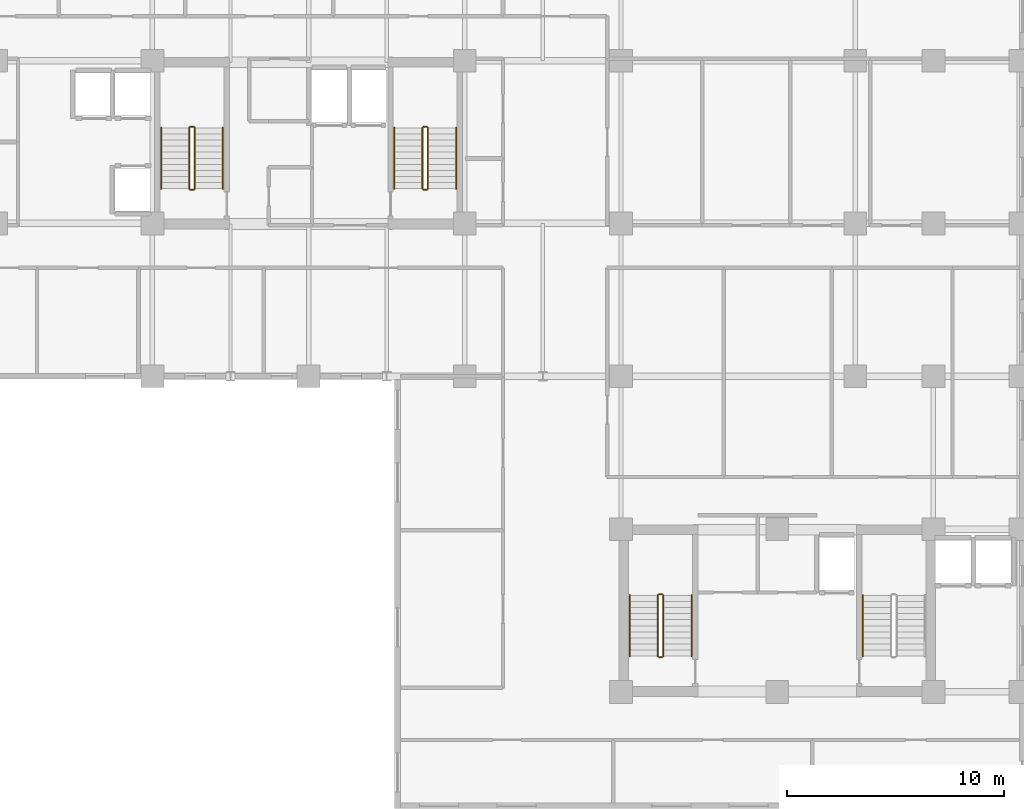
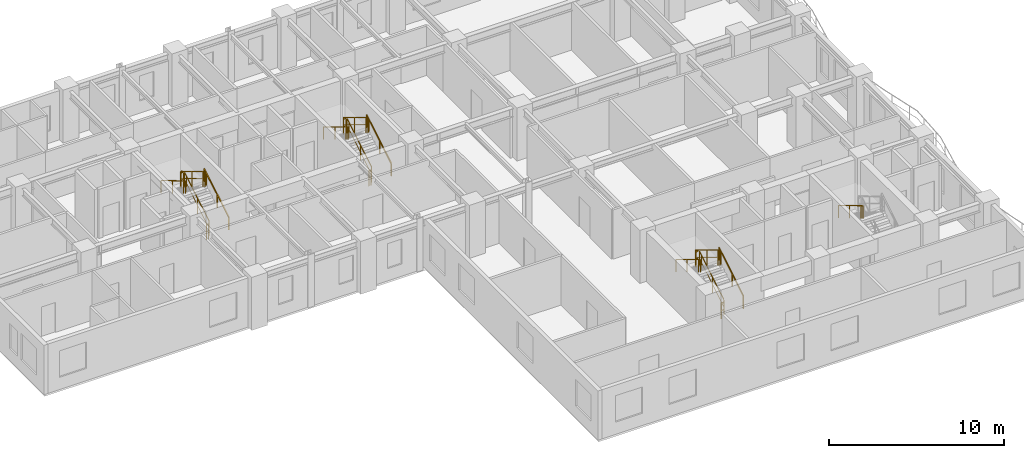
# One storey, part 11 of 13: 19 railings.
"""IFC4 building model written with IfcOpenShell, lengths in metres."""

from ifc_helpers import new_model, si_unit, direction, frame, origin, origin_2d, place, context, subcontext, project, spatial, rectangle, extrude, material, type_object, element, save


model = new_model("IFC4")

# Units and contexts
model_context = context("Model", 3, precision=1e-05, world=origin(), true_north=direction((0.0, 1.0)))
body_context = subcontext(model_context, "Body", "Model", "MODEL_VIEW")
ifc_project = project(units=[si_unit("LENGTHUNIT", "METRE"), si_unit("AREAUNIT", "SQUARE_METRE"), si_unit("VOLUMEUNIT", "CUBIC_METRE"), si_unit("PLANEANGLEUNIT", "RADIAN"), si_unit("MASSUNIT", "GRAM", prefix="KILO")], contexts=[model_context])

# Site, building, storey
site_placement = place(None, origin())
site = spatial("IfcSite", under=ifc_project, at=site_placement, CompositionType="ELEMENT")
building_placement = place(site_placement, origin())
building = spatial("IfcBuilding", under=site, at=building_placement, Name="Kaliganga Portal Commons", CompositionType="ELEMENT")
storey_placement = place(building_placement, frame((0.0, 0.0, 162.39990234375)))
storey = spatial("IfcBuildingStorey", under=building, at=storey_placement, Name="L41", CompositionType="ELEMENT", Elevation=162.39990234375)

# Railings
ifc_material_1 = material(Name="Galvanized Painted Steel Balustrade", Category="steel")
railing_type_1 = type_object("IfcRailingType", Name="RLG-STAIR-GRD", PredefinedType="GUARDRAIL", material=ifc_material_1)
railing_1_placement = place(storey_placement, frame((16.35009765625, 30.25, 0.168212890625)))
element("IfcRailing", 1, at=railing_1_placement, inside=storey, type_object=railing_type_1, Name="L41 ST-A1 stair guard 1", PredefinedType="GUARDRAIL", context=body_context, shape_type="SweptSolid", body=[
    extrude(rectangle(XDim=0.048095703125, YDim=0.048095703125, at=origin_2d()), frame((0.0, 0.0, 1.072021484375), z_axis=(0.0, 0.857242210791, 0.514913383045), x_axis=(-1.0, 0.0, 0.0)), (0.0, 0.0, 1.0), 3.266357421875),
    extrude(rectangle(XDim=0.028076171875, YDim=0.028076171875, at=origin_2d()), frame((0.0, 0.0, 0.572021484375), z_axis=(0.0, 0.857242210791, 0.514913383045), x_axis=(-1.0, 0.0, 0.0)), (0.0, 0.0, 1.0), 3.266357421875),
    extrude(rectangle(XDim=0.0419921875, YDim=0.0419921875, at=origin_2d()), origin(), (0.0, 0.0, 1.0), 1.052001953125),
    extrude(rectangle(XDim=0.0419921875, YDim=0.0419921875, at=origin_2d()), frame((0.0, 1.285888671875, 0.7724609375)), (0.0, 0.0, 1.0), 1.052001953125),
    extrude(rectangle(XDim=0.0419921875, YDim=0.0419921875, at=origin_2d()), frame((0.0, 2.57177734375, 1.544677734375)), (0.0, 0.0, 1.0), 1.052001953125),
    extrude(rectangle(XDim=0.0419921875, YDim=0.0419921875, at=origin_2d()), frame((0.0, 2.800048828125, 1.681884765625)), (0.0, 0.0, 1.0), 1.052001953125),
])
railing_2_placement = place(storey_placement, frame((16.300048828125, 33.10009765625, 1.85009765625)))
element("IfcRailing", 2, at=railing_2_placement, inside=storey, type_object=railing_type_1, Name="L41 ST-A1 stair guard 2", PredefinedType="GUARDRAIL", context=body_context, shape_type="SweptSolid", body=[
    extrude(rectangle(XDim=0.048095703125, YDim=0.048095703125, at=origin_2d()), frame((0.0, 0.0, 1.076171875), z_axis=(-1.0, 0.0, 0.0), x_axis=(0.0, -1.0, 0.0)), (0.0, 0.0, 1.0), 0.150146484375),
    extrude(rectangle(XDim=0.028076171875, YDim=0.028076171875, at=origin_2d()), frame((0.0, 0.0, 0.572021484375), z_axis=(-1.0, 0.0, 0.0), x_axis=(0.0, -1.0, 0.0)), (0.0, 0.0, 1.0), 0.150146484375),
    extrude(rectangle(XDim=0.0419921875, YDim=0.0419921875, at=origin_2d()), origin(), (0.0, 0.0, 1.0), 1.052001953125),
    extrude(rectangle(XDim=0.0419921875, YDim=0.0419921875, at=origin_2d()), frame((-0.150146484375, 0.0, 0.0)), (0.0, 0.0, 1.0), 1.052001953125),
])
railing_3_placement = place(storey_placement, frame((16.10009765625, 33.050048828125, 2.018310546875)))
element("IfcRailing", 3, at=railing_3_placement, inside=storey, type_object=railing_type_1, Name="L41 ST-A1 stair guard 3", PredefinedType="GUARDRAIL", context=body_context, shape_type="SweptSolid", body=[
    extrude(rectangle(XDim=0.048095703125, YDim=0.048095703125, at=origin_2d()), frame((0.0, 0.0, 1.072021484375), z_axis=(0.0, -0.857242210791, 0.514913383045), x_axis=(1.0, 0.0, 0.0)), (0.0, 0.0, 1.0), 3.266357421875),
    extrude(rectangle(XDim=0.028076171875, YDim=0.028076171875, at=origin_2d()), frame((0.0, 0.0, 0.572021484375), z_axis=(0.0, -0.857242210791, 0.514913383045), x_axis=(1.0, 0.0, 0.0)), (0.0, 0.0, 1.0), 3.266357421875),
    extrude(rectangle(XDim=0.0419921875, YDim=0.0419921875, at=origin_2d()), origin(), (0.0, 0.0, 1.0), 1.052001953125),
    extrude(rectangle(XDim=0.0419921875, YDim=0.0419921875, at=origin_2d()), frame((0.0, -1.285888671875, 0.7724609375)), (0.0, 0.0, 1.0), 1.052001953125),
    extrude(rectangle(XDim=0.0419921875, YDim=0.0419921875, at=origin_2d()), frame((0.0, -2.57177734375, 1.544677734375)), (0.0, 0.0, 1.0), 1.052001953125),
    extrude(rectangle(XDim=0.0419921875, YDim=0.0419921875, at=origin_2d()), frame((0.0, -2.800048828125, 1.681884765625)), (0.0, 0.0, 1.0), 1.052001953125),
])
railing_4_placement = place(storey_placement, frame((16.300048828125, 30.199951171875, 0.0)))
element("IfcRailing", 4, at=railing_4_placement, inside=storey, type_object=railing_type_1, Name="L41 ST-A1 stair guard 4", PredefinedType="GUARDRAIL", context=body_context, shape_type="SweptSolid", body=[
    extrude(rectangle(XDim=0.048095703125, YDim=0.048095703125, at=origin_2d()), frame((0.0, 0.0, 1.076171875), z_axis=(-1.0, 0.0, 0.0), x_axis=(0.0, -1.0, 0.0)), (0.0, 0.0, 1.0), 0.150146484375),
    extrude(rectangle(XDim=0.028076171875, YDim=0.028076171875, at=origin_2d()), frame((0.0, 0.0, 0.572021484375), z_axis=(-1.0, 0.0, 0.0), x_axis=(0.0, -1.0, 0.0)), (0.0, 0.0, 1.0), 0.150146484375),
    extrude(rectangle(XDim=0.0419921875, YDim=0.0419921875, at=origin_2d()), origin(), (0.0, 0.0, 1.0), 1.052001953125),
    extrude(rectangle(XDim=0.0419921875, YDim=0.0419921875, at=origin_2d()), frame((-0.150146484375, 0.0, 0.0)), (0.0, 0.0, 1.0), 1.052001953125),
])
railing_5_placement = place(storey_placement, frame((27.10009765625, 30.25, 0.168212890625)))
element("IfcRailing", 5, at=railing_5_placement, inside=storey, type_object=railing_type_1, Name="L41 ST-A2 stair guard 1", PredefinedType="GUARDRAIL", context=body_context, shape_type="SweptSolid", body=[
    extrude(rectangle(XDim=0.048095703125, YDim=0.048095703125, at=origin_2d()), frame((0.0, 0.0, 1.072021484375), z_axis=(0.0, 0.857242210791, 0.514913383045), x_axis=(-1.0, 0.0, 0.0)), (0.0, 0.0, 1.0), 3.266357421875),
    extrude(rectangle(XDim=0.028076171875, YDim=0.028076171875, at=origin_2d()), frame((0.0, 0.0, 0.572021484375), z_axis=(0.0, 0.857242210791, 0.514913383045), x_axis=(-1.0, 0.0, 0.0)), (0.0, 0.0, 1.0), 3.266357421875),
    extrude(rectangle(XDim=0.0419921875, YDim=0.0419921875, at=origin_2d()), origin(), (0.0, 0.0, 1.0), 1.052001953125),
    extrude(rectangle(XDim=0.0419921875, YDim=0.0419921875, at=origin_2d()), frame((0.0, 1.285888671875, 0.7724609375)), (0.0, 0.0, 1.0), 1.052001953125),
    extrude(rectangle(XDim=0.0419921875, YDim=0.0419921875, at=origin_2d()), frame((0.0, 2.57177734375, 1.544677734375)), (0.0, 0.0, 1.0), 1.052001953125),
    extrude(rectangle(XDim=0.0419921875, YDim=0.0419921875, at=origin_2d()), frame((0.0, 2.800048828125, 1.681884765625)), (0.0, 0.0, 1.0), 1.052001953125),
])
railing_6_placement = place(storey_placement, frame((27.050048828125, 33.10009765625, 1.85009765625)))
element("IfcRailing", 6, at=railing_6_placement, inside=storey, type_object=railing_type_1, Name="L41 ST-A2 stair guard 2", PredefinedType="GUARDRAIL", context=body_context, shape_type="SweptSolid", body=[
    extrude(rectangle(XDim=0.048095703125, YDim=0.048095703125, at=origin_2d()), frame((0.0, 0.0, 1.076171875), z_axis=(-1.0, 0.0, 0.0), x_axis=(0.0, -1.0, 0.0)), (0.0, 0.0, 1.0), 0.150146484375),
    extrude(rectangle(XDim=0.028076171875, YDim=0.028076171875, at=origin_2d()), frame((0.0, 0.0, 0.572021484375), z_axis=(-1.0, 0.0, 0.0), x_axis=(0.0, -1.0, 0.0)), (0.0, 0.0, 1.0), 0.150146484375),
    extrude(rectangle(XDim=0.0419921875, YDim=0.0419921875, at=origin_2d()), origin(), (0.0, 0.0, 1.0), 1.052001953125),
    extrude(rectangle(XDim=0.0419921875, YDim=0.0419921875, at=origin_2d()), frame((-0.150146484375, 0.0, 0.0)), (0.0, 0.0, 1.0), 1.052001953125),
])
railing_7_placement = place(storey_placement, frame((26.85009765625, 33.050048828125, 2.018310546875)))
element("IfcRailing", 7, at=railing_7_placement, inside=storey, type_object=railing_type_1, Name="L41 ST-A2 stair guard 3", PredefinedType="GUARDRAIL", context=body_context, shape_type="SweptSolid", body=[
    extrude(rectangle(XDim=0.048095703125, YDim=0.048095703125, at=origin_2d()), frame((0.0, 0.0, 1.072021484375), z_axis=(0.0, -0.857242210791, 0.514913383045), x_axis=(1.0, 0.0, 0.0)), (0.0, 0.0, 1.0), 3.266357421875),
    extrude(rectangle(XDim=0.028076171875, YDim=0.028076171875, at=origin_2d()), frame((0.0, 0.0, 0.572021484375), z_axis=(0.0, -0.857242210791, 0.514913383045), x_axis=(1.0, 0.0, 0.0)), (0.0, 0.0, 1.0), 3.266357421875),
    extrude(rectangle(XDim=0.0419921875, YDim=0.0419921875, at=origin_2d()), origin(), (0.0, 0.0, 1.0), 1.052001953125),
    extrude(rectangle(XDim=0.0419921875, YDim=0.0419921875, at=origin_2d()), frame((0.0, -1.285888671875, 0.7724609375)), (0.0, 0.0, 1.0), 1.052001953125),
    extrude(rectangle(XDim=0.0419921875, YDim=0.0419921875, at=origin_2d()), frame((0.0, -2.57177734375, 1.544677734375)), (0.0, 0.0, 1.0), 1.052001953125),
    extrude(rectangle(XDim=0.0419921875, YDim=0.0419921875, at=origin_2d()), frame((0.0, -2.800048828125, 1.681884765625)), (0.0, 0.0, 1.0), 1.052001953125),
])
railing_8_placement = place(storey_placement, frame((27.050048828125, 30.199951171875, 0.0)))
element("IfcRailing", 8, at=railing_8_placement, inside=storey, type_object=railing_type_1, Name="L41 ST-A2 stair guard 4", PredefinedType="GUARDRAIL", context=body_context, shape_type="SweptSolid", body=[
    extrude(rectangle(XDim=0.048095703125, YDim=0.048095703125, at=origin_2d()), frame((0.0, 0.0, 1.076171875), z_axis=(-1.0, 0.0, 0.0), x_axis=(0.0, -1.0, 0.0)), (0.0, 0.0, 1.0), 0.150146484375),
    extrude(rectangle(XDim=0.028076171875, YDim=0.028076171875, at=origin_2d()), frame((0.0, 0.0, 0.572021484375), z_axis=(-1.0, 0.0, 0.0), x_axis=(0.0, -1.0, 0.0)), (0.0, 0.0, 1.0), 0.150146484375),
    extrude(rectangle(XDim=0.0419921875, YDim=0.0419921875, at=origin_2d()), origin(), (0.0, 0.0, 1.0), 1.052001953125),
    extrude(rectangle(XDim=0.0419921875, YDim=0.0419921875, at=origin_2d()), frame((-0.150146484375, 0.0, 0.0)), (0.0, 0.0, 1.0), 1.052001953125),
])
railing_9_placement = place(storey_placement, frame((37.949951171875, 8.699951171875, 0.168212890625)))
element("IfcRailing", 9, at=railing_9_placement, inside=storey, type_object=railing_type_1, Name="L41 ST-B1 stair guard 1", PredefinedType="GUARDRAIL", context=body_context, shape_type="SweptSolid", body=[
    extrude(rectangle(XDim=0.048095703125, YDim=0.048095703125, at=origin_2d()), frame((0.0, 0.0, 1.072021484375), z_axis=(0.0, 0.857242210791, 0.514913383045), x_axis=(-1.0, 0.0, 0.0)), (0.0, 0.0, 1.0), 3.266357421875),
    extrude(rectangle(XDim=0.028076171875, YDim=0.028076171875, at=origin_2d()), frame((0.0, 0.0, 0.572021484375), z_axis=(0.0, 0.857242210791, 0.514913383045), x_axis=(-1.0, 0.0, 0.0)), (0.0, 0.0, 1.0), 3.266357421875),
    extrude(rectangle(XDim=0.0419921875, YDim=0.0419921875, at=origin_2d()), origin(), (0.0, 0.0, 1.0), 1.052001953125),
    extrude(rectangle(XDim=0.0419921875, YDim=0.0419921875, at=origin_2d()), frame((0.0, 1.285888671875, 0.7724609375)), (0.0, 0.0, 1.0), 1.052001953125),
    extrude(rectangle(XDim=0.0419921875, YDim=0.0419921875, at=origin_2d()), frame((0.0, 2.57177734375, 1.544677734375)), (0.0, 0.0, 1.0), 1.052001953125),
    extrude(rectangle(XDim=0.0419921875, YDim=0.0419921875, at=origin_2d()), frame((0.0, 2.800048828125, 1.681884765625)), (0.0, 0.0, 1.0), 1.052001953125),
])
railing_10_placement = place(storey_placement, frame((37.89990234375, 11.550048828125, 1.85009765625)))
element("IfcRailing", 10, at=railing_10_placement, inside=storey, type_object=railing_type_1, Name="L41 ST-B1 stair guard 2", PredefinedType="GUARDRAIL", context=body_context, shape_type="SweptSolid", body=[
    extrude(rectangle(XDim=0.048095703125, YDim=0.048095703125, at=origin_2d()), frame((0.0, 0.0, 1.076171875), z_axis=(-1.0, 0.0, 0.0), x_axis=(0.0, -1.0, 0.0)), (0.0, 0.0, 1.0), 0.14990234375),
    extrude(rectangle(XDim=0.028076171875, YDim=0.028076171875, at=origin_2d()), frame((0.0, 0.0, 0.572021484375), z_axis=(-1.0, 0.0, 0.0), x_axis=(0.0, -1.0, 0.0)), (0.0, 0.0, 1.0), 0.14990234375),
    extrude(rectangle(XDim=0.0419921875, YDim=0.0419921875, at=origin_2d()), frame((-0.14990234375, 0.0, 0.0)), (0.0, 0.0, 1.0), 1.052001953125),
])
railing_11_placement = place(storey_placement, frame((37.699951171875, 11.5, 2.018310546875)))
element("IfcRailing", 11, at=railing_11_placement, inside=storey, type_object=railing_type_1, Name="L41 ST-B1 stair guard 3", PredefinedType="GUARDRAIL", context=body_context, shape_type="SweptSolid", body=[
    extrude(rectangle(XDim=0.048095703125, YDim=0.048095703125, at=origin_2d()), frame((0.0, 0.0, 1.072021484375), z_axis=(0.0, -0.857242210791, 0.514913383045), x_axis=(1.0, 0.0, 0.0)), (0.0, 0.0, 1.0), 3.266357421875),
    extrude(rectangle(XDim=0.028076171875, YDim=0.028076171875, at=origin_2d()), frame((0.0, 0.0, 0.572021484375), z_axis=(0.0, -0.857242210791, 0.514913383045), x_axis=(1.0, 0.0, 0.0)), (0.0, 0.0, 1.0), 3.266357421875),
    extrude(rectangle(XDim=0.0419921875, YDim=0.0419921875, at=origin_2d()), origin(), (0.0, 0.0, 1.0), 1.052001953125),
    extrude(rectangle(XDim=0.0419921875, YDim=0.0419921875, at=origin_2d()), frame((0.0, -1.285888671875, 0.7724609375)), (0.0, 0.0, 1.0), 1.052001953125),
    extrude(rectangle(XDim=0.0419921875, YDim=0.0419921875, at=origin_2d()), frame((0.0, -2.57177734375, 1.544677734375)), (0.0, 0.0, 1.0), 1.052001953125),
    extrude(rectangle(XDim=0.0419921875, YDim=0.0419921875, at=origin_2d()), frame((0.0, -2.800048828125, 1.681884765625)), (0.0, 0.0, 1.0), 1.052001953125),
])
railing_12_placement = place(storey_placement, frame((37.89990234375, 8.64990234375, 0.0)))
element("IfcRailing", 12, at=railing_12_placement, inside=storey, type_object=railing_type_1, Name="L41 ST-B1 stair guard 4", PredefinedType="GUARDRAIL", context=body_context, shape_type="SweptSolid", body=[
    extrude(rectangle(XDim=0.048095703125, YDim=0.048095703125, at=origin_2d()), frame((0.0, 0.0, 1.076171875), z_axis=(-1.0, 0.0, 0.0), x_axis=(0.0, -1.0, 0.0)), (0.0, 0.0, 1.0), 0.14990234375),
    extrude(rectangle(XDim=0.028076171875, YDim=0.028076171875, at=origin_2d()), frame((0.0, 0.0, 0.572021484375), z_axis=(-1.0, 0.0, 0.0), x_axis=(0.0, -1.0, 0.0)), (0.0, 0.0, 1.0), 0.14990234375),
    extrude(rectangle(XDim=0.0419921875, YDim=0.0419921875, at=origin_2d()), frame((-0.14990234375, 0.0, 0.0)), (0.0, 0.0, 1.0), 1.052001953125),
])
ifc_material_2 = material(Name="Brushed Stainless Steel 316", Category="steel")
railing_type_2 = type_object("IfcRailingType", Name="RLG-STAIR-HR", PredefinedType="HANDRAIL", material=ifc_material_2)
railing_13_placement = place(storey_placement, frame((17.64990234375, 30.25, 0.168212890625)))
element("IfcRailing", 13, at=railing_13_placement, inside=storey, type_object=railing_type_2, Name="L41 ST-A1 stair handrail 1", PredefinedType="HANDRAIL", context=body_context, shape_type="SweptSolid", body=[
    extrude(rectangle(XDim=0.048095703125, YDim=0.048095703125, at=origin_2d()), frame((0.0, 0.0, 0.871826171875), z_axis=(0.0, 0.857242210791, 0.514913383045), x_axis=(-1.0, 0.0, 0.0)), (0.0, 0.0, 1.0), 3.266357421875),
    extrude(rectangle(XDim=0.0419921875, YDim=0.0419921875, at=origin_2d()), origin(), (0.0, 0.0, 1.0), 0.851806640625),
    extrude(rectangle(XDim=0.0419921875, YDim=0.0419921875, at=origin_2d()), frame((0.0, 1.285888671875, 0.7724609375)), (0.0, 0.0, 1.0), 0.851806640625),
    extrude(rectangle(XDim=0.0419921875, YDim=0.0419921875, at=origin_2d()), frame((0.0, 2.57177734375, 1.544677734375)), (0.0, 0.0, 1.0), 0.851806640625),
    extrude(rectangle(XDim=0.0419921875, YDim=0.0419921875, at=origin_2d()), frame((0.0, 2.800048828125, 1.681884765625)), (0.0, 0.0, 1.0), 0.851806640625),
])
railing_14_placement = place(storey_placement, frame((14.800048828125, 33.050048828125, 2.018310546875)))
element("IfcRailing", 14, at=railing_14_placement, inside=storey, type_object=railing_type_2, Name="L41 ST-A1 stair handrail 2", PredefinedType="HANDRAIL", context=body_context, shape_type="SweptSolid", body=[
    extrude(rectangle(XDim=0.048095703125, YDim=0.048095703125, at=origin_2d()), frame((0.0, 0.0, 0.871826171875), z_axis=(0.0, -0.857242210791, 0.514913383045), x_axis=(1.0, 0.0, 0.0)), (0.0, 0.0, 1.0), 3.266357421875),
    extrude(rectangle(XDim=0.0419921875, YDim=0.0419921875, at=origin_2d()), origin(), (0.0, 0.0, 1.0), 0.851806640625),
    extrude(rectangle(XDim=0.0419921875, YDim=0.0419921875, at=origin_2d()), frame((0.0, -1.285888671875, 0.7724609375)), (0.0, 0.0, 1.0), 0.851806640625),
    extrude(rectangle(XDim=0.0419921875, YDim=0.0419921875, at=origin_2d()), frame((0.0, -2.57177734375, 1.544677734375)), (0.0, 0.0, 1.0), 0.851806640625),
    extrude(rectangle(XDim=0.0419921875, YDim=0.0419921875, at=origin_2d()), frame((0.0, -2.800048828125, 1.681884765625)), (0.0, 0.0, 1.0), 0.851806640625),
])
railing_15_placement = place(storey_placement, frame((28.39990234375, 30.25, 0.168212890625)))
element("IfcRailing", 15, at=railing_15_placement, inside=storey, type_object=railing_type_2, Name="L41 ST-A2 stair handrail 1", PredefinedType="HANDRAIL", context=body_context, shape_type="SweptSolid", body=[
    extrude(rectangle(XDim=0.048095703125, YDim=0.048095703125, at=origin_2d()), frame((0.0, 0.0, 0.871826171875), z_axis=(0.0, 0.857242210791, 0.514913383045), x_axis=(-1.0, 0.0, 0.0)), (0.0, 0.0, 1.0), 3.266357421875),
    extrude(rectangle(XDim=0.0419921875, YDim=0.0419921875, at=origin_2d()), origin(), (0.0, 0.0, 1.0), 0.851806640625),
    extrude(rectangle(XDim=0.0419921875, YDim=0.0419921875, at=origin_2d()), frame((0.0, 1.285888671875, 0.7724609375)), (0.0, 0.0, 1.0), 0.851806640625),
    extrude(rectangle(XDim=0.0419921875, YDim=0.0419921875, at=origin_2d()), frame((0.0, 2.57177734375, 1.544677734375)), (0.0, 0.0, 1.0), 0.851806640625),
    extrude(rectangle(XDim=0.0419921875, YDim=0.0419921875, at=origin_2d()), frame((0.0, 2.800048828125, 1.681884765625)), (0.0, 0.0, 1.0), 0.851806640625),
])
railing_16_placement = place(storey_placement, frame((25.550048828125, 33.050048828125, 2.018310546875)))
element("IfcRailing", 16, at=railing_16_placement, inside=storey, type_object=railing_type_2, Name="L41 ST-A2 stair handrail 2", PredefinedType="HANDRAIL", context=body_context, shape_type="SweptSolid", body=[
    extrude(rectangle(XDim=0.048095703125, YDim=0.048095703125, at=origin_2d()), frame((0.0, 0.0, 0.871826171875), z_axis=(0.0, -0.857242210791, 0.514913383045), x_axis=(1.0, 0.0, 0.0)), (0.0, 0.0, 1.0), 3.266357421875),
    extrude(rectangle(XDim=0.0419921875, YDim=0.0419921875, at=origin_2d()), origin(), (0.0, 0.0, 1.0), 0.851806640625),
    extrude(rectangle(XDim=0.0419921875, YDim=0.0419921875, at=origin_2d()), frame((0.0, -1.285888671875, 0.7724609375)), (0.0, 0.0, 1.0), 0.851806640625),
    extrude(rectangle(XDim=0.0419921875, YDim=0.0419921875, at=origin_2d()), frame((0.0, -2.57177734375, 1.544677734375)), (0.0, 0.0, 1.0), 0.851806640625),
    extrude(rectangle(XDim=0.0419921875, YDim=0.0419921875, at=origin_2d()), frame((0.0, -2.800048828125, 1.681884765625)), (0.0, 0.0, 1.0), 0.851806640625),
])
railing_17_placement = place(storey_placement, frame((39.25, 8.699951171875, 0.168212890625)))
element("IfcRailing", 17, at=railing_17_placement, inside=storey, type_object=railing_type_2, Name="L41 ST-B1 stair handrail 1", PredefinedType="HANDRAIL", context=body_context, shape_type="SweptSolid", body=[
    extrude(rectangle(XDim=0.048095703125, YDim=0.048095703125, at=origin_2d()), frame((0.0, 0.0, 0.871826171875), z_axis=(0.0, 0.857242210791, 0.514913383045), x_axis=(-1.0, 0.0, 0.0)), (0.0, 0.0, 1.0), 3.266357421875),
    extrude(rectangle(XDim=0.0419921875, YDim=0.0419921875, at=origin_2d()), origin(), (0.0, 0.0, 1.0), 0.851806640625),
    extrude(rectangle(XDim=0.0419921875, YDim=0.0419921875, at=origin_2d()), frame((0.0, 1.285888671875, 0.7724609375)), (0.0, 0.0, 1.0), 0.851806640625),
    extrude(rectangle(XDim=0.0419921875, YDim=0.0419921875, at=origin_2d()), frame((0.0, 2.57177734375, 1.544677734375)), (0.0, 0.0, 1.0), 0.851806640625),
    extrude(rectangle(XDim=0.0419921875, YDim=0.0419921875, at=origin_2d()), frame((0.0, 2.800048828125, 1.681884765625)), (0.0, 0.0, 1.0), 0.851806640625),
])
for number, where, name in (
    (18, (36.39990234375, 11.5, 2.018310546875), "L41 ST-B1 stair handrail 2"),
    (19, (47.14990234375, 11.5, 2.018310546875), "L41 ST-B2 stair handrail 2"),
):
    element("IfcRailing", number, at=place(storey_placement, frame(where)), inside=storey, type_object=railing_type_2, Name=name, PredefinedType="HANDRAIL", context=body_context, shape_type="SweptSolid", body=[
        extrude(rectangle(XDim=0.048095703125, YDim=0.048095703125, at=origin_2d()), frame((0.0, 0.0, 0.871826171875), z_axis=(0.0, -0.857242210791, 0.514913383045), x_axis=(1.0, 0.0, 0.0)), (0.0, 0.0, 1.0), 3.266357421875),
        extrude(rectangle(XDim=0.0419921875, YDim=0.0419921875, at=origin_2d()), origin(), (0.0, 0.0, 1.0), 0.851806640625),
        extrude(rectangle(XDim=0.0419921875, YDim=0.0419921875, at=origin_2d()), frame((0.0, -1.285888671875, 0.7724609375)), (0.0, 0.0, 1.0), 0.851806640625),
        extrude(rectangle(XDim=0.0419921875, YDim=0.0419921875, at=origin_2d()), frame((0.0, -2.57177734375, 1.544677734375)), (0.0, 0.0, 1.0), 0.851806640625),
        extrude(rectangle(XDim=0.0419921875, YDim=0.0419921875, at=origin_2d()), frame((0.0, -2.800048828125, 1.681884765625)), (0.0, 0.0, 1.0), 0.851806640625),
    ])

save(model, "model.ifc")
